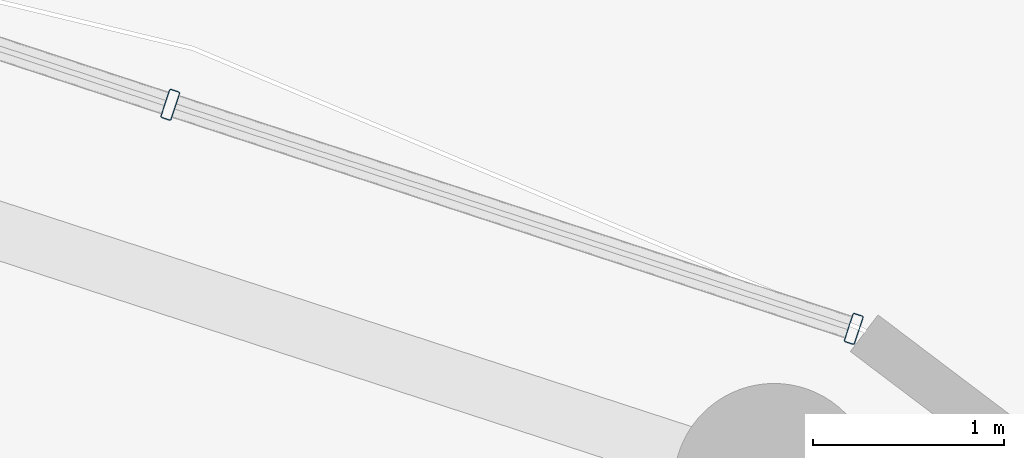
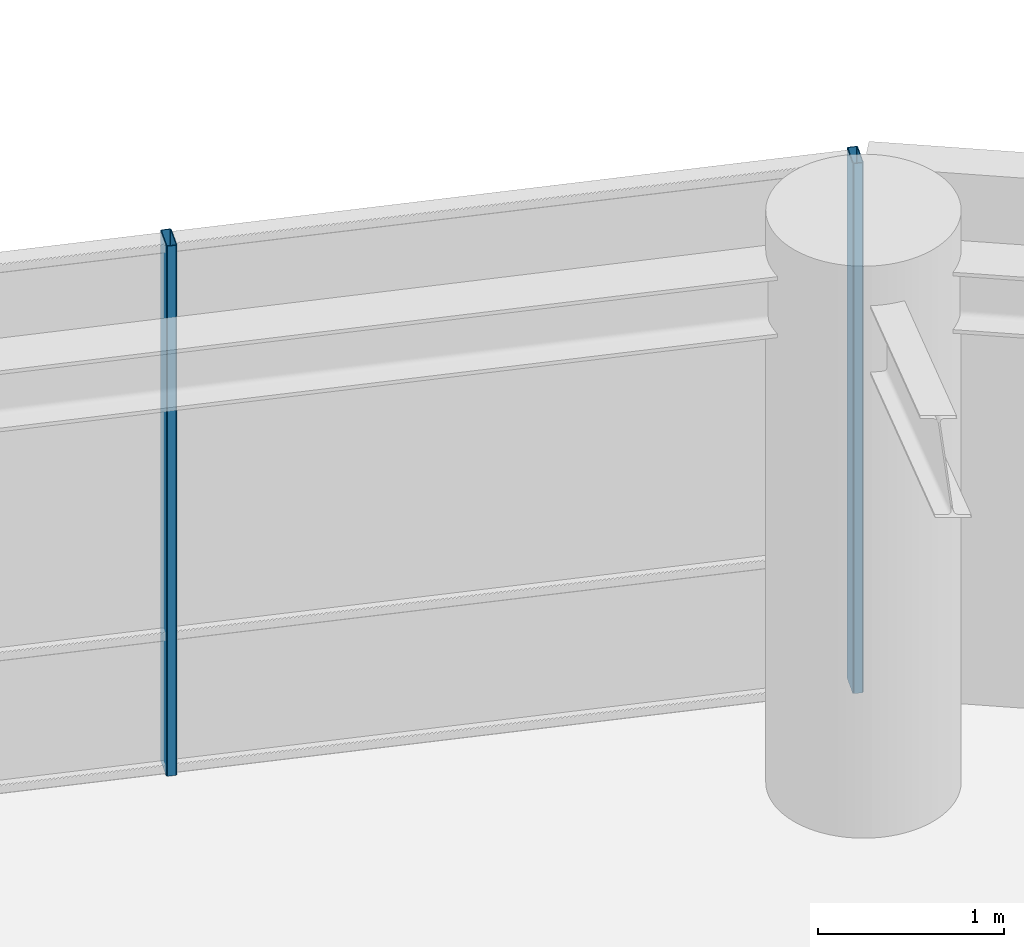
# One storey, part 22 of 31: 2 members, 1 element without a shape of its own.
"""IFC4 building model written with IfcOpenShell, lengths in metres."""

from ifc_helpers import new_model, si_unit, direction, frame, origin, origin_2d, place, context, subcontext, project, spatial, hollow_rectangle, extrude, material, layer, layer_set, material_profile, profile_set, type_object, element, aggregate, save


model = new_model("IFC4")

# Units and contexts
model_context = context("Model", 3, precision=1e-05, world=origin(), true_north=direction((0.0, 1.0)))
body_context = subcontext(model_context, "Body", "Model", "MODEL_VIEW")
ifc_project = project(units=[si_unit("LENGTHUNIT", "METRE"), si_unit("AREAUNIT", "SQUARE_METRE"), si_unit("VOLUMEUNIT", "CUBIC_METRE"), si_unit("PLANEANGLEUNIT", "RADIAN"), si_unit("MASSUNIT", "GRAM", prefix="KILO")], contexts=[model_context])

# Site, building, storey
site_placement = place(None, origin())
site = spatial("IfcSite", under=ifc_project, at=site_placement, CompositionType="ELEMENT")
building_placement = place(site_placement, origin())
building = spatial("IfcBuilding", under=site, at=building_placement, Name="Kelanora Arch Commons", CompositionType="ELEMENT")
storey_placement = place(building_placement, frame((0.0, 0.0, 219.449951171875)))
storey = spatial("IfcBuildingStorey", under=building, at=storey_placement, Name="L56", CompositionType="ELEMENT", Elevation=219.449951171875)

# Curtain wall, members
ifc_material_1 = material(Name="Terracotta ceramic-fritted low-E glass and aluminium", Category="masonry")
ifc_layer = layer(ifc_material_1, 0.175048828125)
ifc_layer_set = layer_set([ifc_layer], Name="Terracotta ceramic-fritted low-E glass and aluminium")
curtain_wall_type = type_object("IfcCurtainWallType", Name="CW-SYS-02", PredefinedType="NOTDEFINED", material=ifc_layer_set)
curtain_wall_placement = place(storey_placement, origin())
curtain_wall = element("IfcCurtainWall", 1, at=curtain_wall_placement, inside=storey, type_object=curtain_wall_type, Name="Unitised Curtain Wall L56-B03", PredefinedType="NOTDEFINED")
ifc_material_2 = material(Name="Powder-coated aluminium terracotta", Category="masonry")
ifc_material_profile = material_profile(ifc_material_2, hollow_rectangle(XDim=0.159912109375, YDim=0.06005859375, WallThickness=0.0048828125, InnerFilletRadius=0.0048828125, OuterFilletRadius=0.010009765625, at=origin_2d()), Name="CWM160x60")
ifc_profile_set = profile_set([ifc_material_profile], Name="Powder-coated aluminium terracotta")
member_type = type_object("IfcMemberType", Name="CWM-STD", PredefinedType="MULLION", material=ifc_profile_set)
member_1_placement = place(storey_placement, frame((85.05712890625, 75.33447265625, 0.0), z_axis=(0.0, 0.0, 1.0), x_axis=(-0.311582439059, -0.950219124029, 0.0)))
member_1 = element("IfcMember", 2, at=member_1_placement, type_object=member_type, Name="CW-02 mullion 1", PredefinedType="MULLION", context=body_context, shape_type="SweptSolid", body=[
    extrude(hollow_rectangle(XDim=0.159912109375, YDim=0.06005859375, WallThickness=0.0048828125, InnerFilletRadius=0.0048828125, OuterFilletRadius=0.010009765625, at=origin_2d()), origin(), (0.0, 0.0, 1.0), 3.47509765625),
])
member_2_placement = place(storey_placement, frame((81.4775390625, 76.50830078125, 0.0), z_axis=(0.0, 0.0, 1.0), x_axis=(-0.311582439059, -0.950219124029, 0.0)))
member_2 = element("IfcMember", 3, at=member_2_placement, type_object=member_type, Name="CW-02 mullion 2", PredefinedType="MULLION", context=body_context, shape_type="SweptSolid", body=[
    extrude(hollow_rectangle(XDim=0.159912109375, YDim=0.06005859375, WallThickness=0.0048828125, InnerFilletRadius=0.0048828125, OuterFilletRadius=0.010009765625, at=origin_2d()), origin(), (0.0, 0.0, 1.0), 3.47509765625),
])
aggregate(curtain_wall, [member_1, member_2])

save(model, "model.ifc")
